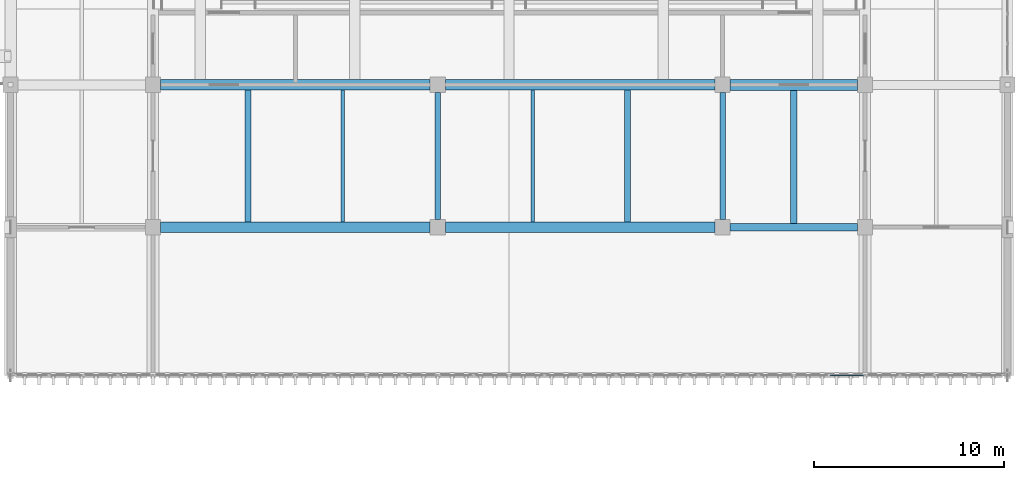
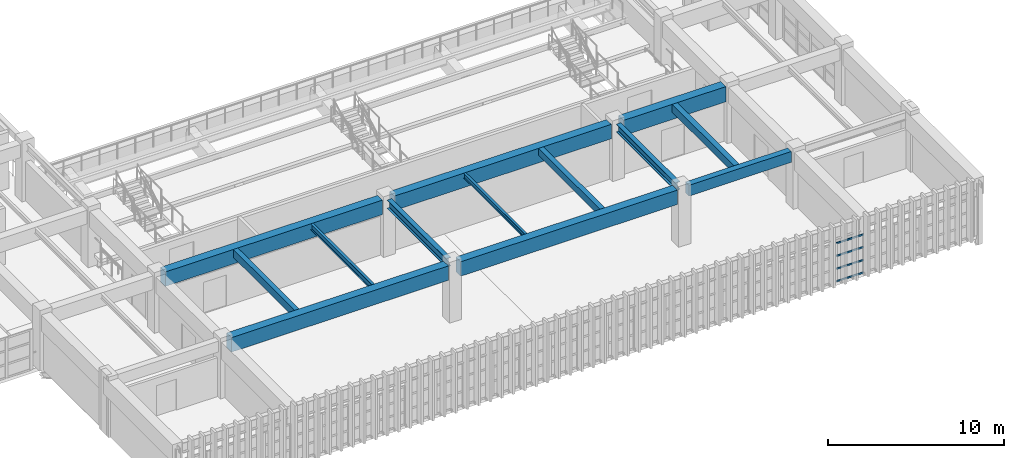
# One storey, part 33 of 124: 13 beams, 4 members, 1 element without a shape of its own.
"""IFC4 building model written with IfcOpenShell, lengths in metres."""

import ifcopenshell
import ifcopenshell.guid

model = None  # the IFC model being written
_history = None  # IfcOwnerHistory: only IFC2X3 demands one
_inside = {}  # id of a spatial element -> (the spatial element, [elements in it])
_under = {}  # id of a project, library or spatial element -> (it, [spatial elements below it])
_declared = {}  # id of a project -> (the project, [libraries it declares])
_typed = {}  # id of a type object -> (the type object, [elements of that type])
_made_of = {}  # id of a material, layer set ... -> (it, [elements and type objects made of it])


def new_model(schema):
    """Start an empty IFC model of exactly this schema.

    Asked for "IFC4X3", IfcOpenShell would pick the latest addendum, in which some entities
    have other attributes; the version numbers below select the first issue.
    IFC2X3 requires an IfcOwnerHistory on every rooted entity: one is made here for all.
    """
    global model, _history
    if schema == "IFC4X3":
        model = ifcopenshell.file(schema_version=(4, 3, 0, 0))
    else:
        model = ifcopenshell.file(schema=schema)
    _inside.clear()
    _under.clear()
    _declared.clear()
    _typed.clear()
    _made_of.clear()
    _history = None
    if model.schema == "IFC2X3":
        org = make("IfcOrganization", Name="unknown")
        user = make(
            "IfcPersonAndOrganization",
            ThePerson=make("IfcPerson", FamilyName="unknown"),
            TheOrganization=org,
        )
        app = make(
            "IfcApplication",
            ApplicationDeveloper=org,
            Version="unknown",
            ApplicationFullName="unknown",
            ApplicationIdentifier="unknown",
        )
        _history = make(
            "IfcOwnerHistory",
            OwningUser=user,
            OwningApplication=app,
            ChangeAction="ADDED",
            CreationDate=0,
        )
    return model


def make(cls, **values):
    """One entity of the class cls with the attributes given. An attribute that is None is left unset."""
    return model.create_entity(
        cls, **{name: value for name, value in values.items() if value is not None}
    )


def rooted(cls, **values):
    """An entity with a GlobalId (a new one), such as an element, a storey or a relation."""
    return make(cls, GlobalId=ifcopenshell.guid.new(), OwnerHistory=_history, **values)


def si_unit(unit_type, name, prefix=None):
    """IfcSIUnit, for example si_unit("LENGTHUNIT", "METRE", prefix="MILLI")."""
    return make("IfcSIUnit", UnitType=unit_type, Prefix=prefix, Name=name)


def assignment(units):
    """IfcUnitAssignment: the units of a project."""
    return None if units is None else make("IfcUnitAssignment", Units=units)


def point(xyz):
    """IfcCartesianPoint."""
    return None if xyz is None else make("IfcCartesianPoint", Coordinates=xyz)


def direction(xyz):
    """IfcDirection."""
    return None if xyz is None else make("IfcDirection", DirectionRatios=xyz)


def frame(location, z_axis=None, x_axis=None):
    """IfcAxis2Placement3D, a coordinate frame: its origin and axes. An axis left out is left unset."""
    return make(
        "IfcAxis2Placement3D",
        Location=point(location),
        Axis=direction(z_axis),
        RefDirection=direction(x_axis),
    )


def frame_2d(location, x_axis=None):
    """IfcAxis2Placement2D, a coordinate frame in the plane: its origin and x axis."""
    return make(
        "IfcAxis2Placement2D", Location=point(location), RefDirection=direction(x_axis)
    )


def origin():
    """The frame at (0, 0, 0) with its axes left unset."""
    return frame((0.0, 0.0, 0.0))


def origin_2d():
    """The frame at (0, 0) in the plane with its x axis left unset."""
    return frame_2d((0.0, 0.0))


def place(relative_to, where):
    """IfcLocalPlacement: puts the frame where relative to a parent placement (None: the world)."""
    return make(
        "IfcLocalPlacement", PlacementRelTo=relative_to, RelativePlacement=where
    )


def context(
    kind, dimensions, precision=None, world=None, true_north=None, identifier=None
):
    """IfcGeometricRepresentationContext, for example the 3D "Model" context."""
    return make(
        "IfcGeometricRepresentationContext",
        ContextIdentifier=identifier,
        ContextType=kind,
        CoordinateSpaceDimension=dimensions,
        Precision=precision,
        WorldCoordinateSystem=world,
        TrueNorth=true_north,
    )


def subcontext(parent, identifier, kind, view, scale=None):
    """IfcGeometricRepresentationSubContext, for example "Body" below "Model"."""
    return make(
        "IfcGeometricRepresentationSubContext",
        ContextIdentifier=identifier,
        ContextType=kind,
        ParentContext=parent,
        TargetScale=scale,
        TargetView=view,
    )


def project(units=None, contexts=None):
    """IfcProject with its units and contexts."""
    return rooted(
        "IfcProject",
        Name="project",
        RepresentationContexts=contexts,
        UnitsInContext=assignment(units),
    )


def spatial(cls, under=None, at=None, **own):
    """A site, building, storey or space (cls), placed at a placement, below another one or the project."""
    s = rooted(cls, ObjectPlacement=at, **own)
    if under is not None:
        _under.setdefault(under.id(), (under, []))[1].append(s)
    return s


def profile(cls, at=None, kind="AREA", **sizes):
    """A parametric profile (cls). Its sizes go by their IFC names, for example OverallWidth=200.0."""
    return make(cls, ProfileType=kind, Position=at, **sizes)


def rectangle(**sizes):
    """IfcRectangleProfileDef."""
    return profile("IfcRectangleProfileDef", **sizes)


def hollow_rectangle(**sizes):
    """IfcRectangleHollowProfileDef."""
    return profile("IfcRectangleHollowProfileDef", **sizes)


def i_section(**sizes):
    """IfcIShapeProfileDef."""
    return profile("IfcIShapeProfileDef", **sizes)


def extrude(swept, where, along, depth):
    """IfcExtrudedAreaSolid: the profile swept, set in the frame where, extruded along a direction by depth."""
    return make(
        "IfcExtrudedAreaSolid",
        SweptArea=swept,
        Position=where,
        ExtrudedDirection=direction(along),
        Depth=depth,
    )


def shape(context_of_items, identifier, shape_type, items):
    """IfcShapeRepresentation: the items that make up one representation, for example the "Body"."""
    return make(
        "IfcShapeRepresentation",
        ContextOfItems=context_of_items,
        RepresentationIdentifier=identifier,
        RepresentationType=shape_type,
        Items=items,
    )


def material(Name=None, Category=None):
    """IfcMaterial."""
    return make("IfcMaterial", Name=Name, Category=Category)


def material_profile(
    of_material, cross_section, Name=None, Category=None, Priority=None
):
    """IfcMaterialProfile: a cross section and its material."""
    return make(
        "IfcMaterialProfile",
        Name=Name,
        Material=of_material,
        Profile=cross_section,
        Priority=Priority,
        Category=Category,
    )


def profile_set(profiles, Name=None, composite=None):
    """IfcMaterialProfileSet."""
    return make(
        "IfcMaterialProfileSet",
        Name=Name,
        MaterialProfiles=profiles,
        CompositeProfile=composite,
    )


def made_of(thing, what):
    """Note that an element or type object is made of a material, layer set ...; save() writes the relation."""
    if what is not None:
        _made_of.setdefault(what.id(), (what, []))[1].append(thing)
    return thing


def type_object(cls, material=None, **own):
    """A type object (cls), such as IfcWallType, which elements share."""
    return made_of(rooted(cls, **own), material)


def element(
    cls,
    number,
    at=None,
    inside=None,
    cuts=None,
    type_object=None,
    material=None,
    context=None,
    identifier="Body",
    shape_type=None,
    held_by="IfcProductDefinitionShape",
    body=None,
    shapes=None,
    **own,
):
    """One element of the class cls, such as IfcWall. Its Tag is "e" and its number.

    at: its placement. inside: the storey or other place that contains it. cuts: it is an
    opening in that element (IfcRelVoidsElement). A single representation is given by context,
    identifier, shape_type and body (its items); several are given by shapes. held_by: the class
    of the entity that holds the representations. save() writes the other relations.
    """
    e = rooted(cls, Tag="e%d" % number, ObjectPlacement=at, **own)
    if body is not None:
        shapes = [shape(context, identifier, shape_type, body)]
    if shapes is not None:
        e.Representation = make(held_by, Representations=shapes)
    if inside is not None:
        _inside.setdefault(inside.id(), (inside, []))[1].append(e)
    if cuts is not None:
        rooted(
            "IfcRelVoidsElement", RelatingBuildingElement=cuts, RelatedOpeningElement=e
        )
    if type_object is not None:
        _typed.setdefault(type_object.id(), (type_object, []))[1].append(e)
    return made_of(e, material)


def aggregate(whole, parts):
    """IfcRelAggregates: a whole, such as a stair, and the parts it consists of."""
    return rooted("IfcRelAggregates", RelatingObject=whole, RelatedObjects=parts)


def save(model, path):
    """Write the relations noted so far, then the file.

    IfcRelAggregates (storeys below a building ...), IfcRelContainedInSpatialStructure (elements
    in a storey), IfcRelDefinesByType, IfcRelAssociatesMaterial and IfcRelDeclares: one each for
    every whole, place, type object, material and project.
    """
    for whole, parts in _under.values():
        aggregate(whole, parts)
    for where, things in _inside.values():
        rooted(
            "IfcRelContainedInSpatialStructure",
            RelatedElements=things,
            RelatingStructure=where,
        )
    for kind, things in _typed.values():
        rooted("IfcRelDefinesByType", RelatedObjects=things, RelatingType=kind)
    for what, things in _made_of.values():
        rooted("IfcRelAssociatesMaterial", RelatedObjects=things, RelatingMaterial=what)
    for by, libraries in _declared.values():
        rooted("IfcRelDeclares", RelatingContext=by, RelatedDefinitions=libraries)
    model.write(path)


model = new_model("IFC4")

# Units and contexts
model_context = context("Model", 3, precision=1e-05, world=origin(), true_north=direction((0.0, 1.0)))
body_context = subcontext(model_context, "Body", "Model", "MODEL_VIEW")
ifc_project = project(units=[si_unit("LENGTHUNIT", "METRE"), si_unit("AREAUNIT", "SQUARE_METRE"), si_unit("VOLUMEUNIT", "CUBIC_METRE"), si_unit("PLANEANGLEUNIT", "RADIAN"), si_unit("MASSUNIT", "GRAM", prefix="KILO")], contexts=[model_context])

# Site, building, storey
site_placement = place(None, origin())
site = spatial("IfcSite", under=ifc_project, at=site_placement, CompositionType="ELEMENT")
building_placement = place(site_placement, origin())
building = spatial("IfcBuilding", under=site, at=building_placement, Name="Qasida Concert Hall", CompositionType="ELEMENT")
storey_placement = place(building_placement, frame((0.0, 0.0, 9.0)))
storey = spatial("IfcBuildingStorey", under=building, at=storey_placement, Name="L02", CompositionType="ELEMENT", Elevation=9.0)

# Beams
ifc_material_1 = material(Name="Steel S355J2", Category="steel")
ifc_material_profile_1 = material_profile(ifc_material_1, i_section(OverallWidth=0.300048828125, OverallDepth=0.550048828125, WebThickness=0.014892578125, FlangeThickness=0.029052734375, FilletRadius=0.027099609375, at=origin_2d()), Name="HEB 550")
ifc_profile_set_1 = profile_set([ifc_material_profile_1], Name="Steel S355J2")
beam_type_1 = type_object("IfcBeamType", Name="BM-B12", PredefinedType="BEAM", material=ifc_profile_set_1)
beam_1_placement = place(storey_placement, frame((90.0, 22.89990234375, 3.625), z_axis=(0.0, 1.0, 0.0), x_axis=(-1.0, 0.0, 0.0)))
element("IfcBeam", 1, at=beam_1_placement, inside=storey, type_object=beam_type_1, Name="L02 girder 1187", PredefinedType="BEAM", context=body_context, shape_type="SweptSolid", body=[
    extrude(i_section(OverallWidth=0.300048828125, OverallDepth=0.550048828125, WebThickness=0.014892578125, FlangeThickness=0.029052734375, FilletRadius=0.027099609375, at=origin_2d()), origin(), (0.0, 0.0, 1.0), 6.7001953125),
])
ifc_material_profile_2 = material_profile(ifc_material_1, i_section(OverallWidth=0.300048828125, OverallDepth=0.60009765625, WebThickness=0.015380859375, FlangeThickness=0.030029296875, FilletRadius=0.027099609375, at=origin_2d()), Name="HEB 600")
ifc_profile_set_2 = profile_set([ifc_material_profile_2], Name="Steel S355J2")
beam_type_2 = type_object("IfcBeamType", Name="BM-B6", PredefinedType="BEAM", material=ifc_profile_set_2)
beam_2_placement = place(storey_placement, frame((75.0, 22.89990234375, 3.60009765625), z_axis=(0.0, 1.0, 0.0), x_axis=(-1.0, 0.0, 0.0)))
element("IfcBeam", 2, at=beam_2_placement, inside=storey, type_object=beam_type_2, Name="L02 girder 1184", PredefinedType="BEAM", context=body_context, shape_type="SweptSolid", body=[
    extrude(i_section(OverallWidth=0.300048828125, OverallDepth=0.60009765625, WebThickness=0.015380859375, FlangeThickness=0.030029296875, FilletRadius=0.027099609375, at=origin_2d()), origin(), (0.0, 0.0, 1.0), 6.7001953125),
])
ifc_material_2 = material(Name="Concrete C40/50", Category="concrete")
ifc_material_profile_3 = material_profile(ifc_material_2, rectangle(XDim=0.550048828125, YDim=1.0, at=origin_2d()), Name="RC 550x1000")
ifc_profile_set_3 = profile_set([ifc_material_profile_3], Name="Concrete C40/50")
beam_type_3 = type_object("IfcBeamType", Name="BM-G3", PredefinedType="USERDEFINED", material=ifc_profile_set_3)
for number, where, z_axis, x_axis, name in (
    (3, (60.39990234375, 22.5, 3.39990234375), (1.0, 0.0, 0.0), (0.0, 1.0, 0.0), "Primary girder 1138"),
    (4, (75.39990234375, 22.5, 3.39990234375), (1.0, 0.0, 0.0), (0.0, 1.0, 0.0), "Primary girder 1139"),
    (5, (60.39990234375, 30.0, 3.39990234375), (1.0, 0.0, 0.0), (0.0, 1.0, 0.0), "Primary girder 1143"),
    (6, (75.39990234375, 30.0, 3.39990234375), (1.0, 0.0, 0.0), (0.0, 1.0, 0.0), "Primary girder 1144"),
):
    element("IfcBeam", number, at=place(storey_placement, frame(where, z_axis=z_axis, x_axis=x_axis)), inside=storey, type_object=beam_type_3, Name=name, ObjectType="GIRDER", PredefinedType="USERDEFINED", context=body_context, shape_type="SweptSolid", body=[
        extrude(rectangle(XDim=0.550048828125, YDim=1.0, at=origin_2d()), origin(), (0.0, 0.0, 1.0), 14.2001953125),
    ])
ifc_material_3 = material(Name="Concrete C50/60", Category="concrete")
ifc_material_profile_4 = material_profile(ifc_material_3, rectangle(XDim=0.580078125, YDim=1.050048828125, at=origin_2d()), Name="RC 580x1050")
ifc_profile_set_4 = profile_set([ifc_material_profile_4], Name="Concrete C50/60")
beam_type_4 = type_object("IfcBeamType", Name="BM-G8", PredefinedType="USERDEFINED", material=ifc_profile_set_4)
beam_3_placement = place(storey_placement, frame((90.39990234375, 30.0, 3.375), z_axis=(1.0, 0.0, 0.0), x_axis=(0.0, 1.0, 0.0)))
element("IfcBeam", 7, at=beam_3_placement, inside=storey, type_object=beam_type_4, Name="Primary girder 1145", ObjectType="GIRDER", PredefinedType="USERDEFINED", context=body_context, shape_type="SweptSolid", body=[
    extrude(rectangle(XDim=0.580078125, YDim=1.050048828125, at=origin_2d()), origin(), (0.0, 0.0, 1.0), 6.7001953125),
])
ifc_material_profile_5 = material_profile(ifc_material_2, rectangle(XDim=0.300048828125, YDim=0.550048828125, at=origin_2d()), Name="RC 300x550")
ifc_profile_set_5 = profile_set([ifc_material_profile_5], Name="Concrete C40/50")
beam_type_5 = type_object("IfcBeamType", Name="BM-J1", PredefinedType="JOIST", material=ifc_profile_set_5)
beam_4_placement = place(storey_placement, frame((65.0, 22.77490234375, 3.625), z_axis=(0.0, 1.0, 0.0), x_axis=(-1.0, 0.0, 0.0)))
element("IfcBeam", 8, at=beam_4_placement, inside=storey, type_object=beam_type_5, Name="L02 secondary joist 1208", PredefinedType="JOIST", context=body_context, shape_type="SweptSolid", body=[
    extrude(rectangle(XDim=0.300048828125, YDim=0.550048828125, at=origin_2d()), origin(), (0.0, 0.0, 1.0), 6.9501953125),
])
ifc_material_profile_6 = material_profile(ifc_material_1, i_section(OverallWidth=0.179931640625, OverallDepth=0.39990234375, WebThickness=0.008544921875, FlangeThickness=0.013427734375, FilletRadius=0.02099609375, at=origin_2d()), Name="IPE 400")
ifc_profile_set_6 = profile_set([ifc_material_profile_6], Name="Steel S355J2")
beam_type_6 = type_object("IfcBeamType", Name="BM-J3", PredefinedType="JOIST", material=ifc_profile_set_6)
beam_5_placement = place(storey_placement, frame((70.0, 22.77490234375, 3.699951171875), z_axis=(0.0, 1.0, 0.0), x_axis=(-1.0, 0.0, 0.0)))
element("IfcBeam", 9, at=beam_5_placement, inside=storey, type_object=beam_type_6, Name="L02 secondary joist 1209", PredefinedType="JOIST", context=body_context, shape_type="SweptSolid", body=[
    extrude(i_section(OverallWidth=0.179931640625, OverallDepth=0.39990234375, WebThickness=0.008544921875, FlangeThickness=0.013427734375, FilletRadius=0.02099609375, at=origin_2d()), origin(), (0.0, 0.0, 1.0), 6.9501953125),
])
ifc_material_profile_7 = material_profile(ifc_material_1, i_section(OverallWidth=0.159912109375, OverallDepth=0.330078125, WebThickness=0.007568359375, FlangeThickness=0.011474609375, FilletRadius=0.01806640625, at=origin_2d()), Name="IPE 330")
ifc_profile_set_7 = profile_set([ifc_material_profile_7], Name="Steel S355J2")
beam_type_7 = type_object("IfcBeamType", Name="BM-J5", PredefinedType="JOIST", material=ifc_profile_set_7)
beam_6_placement = place(storey_placement, frame((80.0, 22.77490234375, 3.735107421875), z_axis=(0.0, 1.0, 0.0), x_axis=(-1.0, 0.0, 0.0)))
element("IfcBeam", 10, at=beam_6_placement, inside=storey, type_object=beam_type_7, Name="L02 secondary joist 1212", PredefinedType="JOIST", context=body_context, shape_type="SweptSolid", body=[
    extrude(i_section(OverallWidth=0.159912109375, OverallDepth=0.330078125, WebThickness=0.007568359375, FlangeThickness=0.011474609375, FilletRadius=0.01806640625, at=origin_2d()), origin(), (0.0, 0.0, 1.0), 6.9501953125),
])
ifc_material_profile_8 = material_profile(ifc_material_2, rectangle(XDim=0.320068359375, YDim=0.5, at=origin_2d()), Name="RC 320x500")
ifc_profile_set_8 = profile_set([ifc_material_profile_8], Name="Concrete C40/50")
beam_type_8 = type_object("IfcBeamType", Name="BM-J7", PredefinedType="JOIST", material=ifc_profile_set_8)
beam_7_placement = place(storey_placement, frame((85.0, 22.77490234375, 3.64990234375), z_axis=(0.0, 1.0, 0.0), x_axis=(-1.0, 0.0, 0.0)))
element("IfcBeam", 11, at=beam_7_placement, inside=storey, type_object=beam_type_8, Name="L02 secondary joist 1213", PredefinedType="JOIST", context=body_context, shape_type="SweptSolid", body=[
    extrude(rectangle(XDim=0.320068359375, YDim=0.5, at=origin_2d()), origin(), (0.0, 0.0, 1.0), 6.9501953125),
])
ifc_material_profile_9 = material_profile(ifc_material_2, rectangle(XDim=0.35009765625, YDim=0.550048828125, at=origin_2d()), Name="RC 350x550")
ifc_profile_set_9 = profile_set([ifc_material_profile_9], Name="Concrete C40/50")
beam_type_9 = type_object("IfcBeamType", Name="BM-J8", PredefinedType="JOIST", material=ifc_profile_set_9)
beam_8_placement = place(storey_placement, frame((93.75, 22.699951171875, 3.625), z_axis=(0.0, 1.0, 0.0), x_axis=(-1.0, 0.0, 0.0)))
element("IfcBeam", 12, at=beam_8_placement, inside=storey, type_object=beam_type_9, Name="L02 secondary joist 1215", PredefinedType="JOIST", context=body_context, shape_type="SweptSolid", body=[
    extrude(rectangle(XDim=0.35009765625, YDim=0.550048828125, at=origin_2d()), origin(), (0.0, 0.0, 1.0), 7.010009765625),
])
ifc_material_profile_10 = material_profile(ifc_material_2, rectangle(XDim=0.39990234375, YDim=0.75, at=origin_2d()), Name="RC 400x750")
ifc_profile_set_10 = profile_set([ifc_material_profile_10], Name="Concrete C40/50")
beam_type_10 = type_object("IfcBeamType", Name="BM-SP1", PredefinedType="SPANDREL", material=ifc_profile_set_10)
beam_9_placement = place(storey_placement, frame((90.39990234375, 22.5, 3.52490234375), z_axis=(1.0, 0.0, 0.0), x_axis=(0.0, 1.0, 0.0)))
element("IfcBeam", 13, at=beam_9_placement, inside=storey, type_object=beam_type_10, Name="Primary girder 1140", PredefinedType="SPANDREL", context=body_context, shape_type="SweptSolid", body=[
    extrude(rectangle(XDim=0.39990234375, YDim=0.75, at=origin_2d()), origin(), (0.0, 0.0, 1.0), 6.7001953125),
])

# Curtain wall, members
ifc_material_4 = material(Name="Architectural bronze-anodized aluminium and low-E glass", Category="aluminium")
curtain_wall_type = type_object("IfcCurtainWallType", Name="CW-03", PredefinedType="NOTDEFINED", material=ifc_material_4)
curtain_wall_placement = place(storey_placement, origin())
curtain_wall = element("IfcCurtainWall", 14, at=curtain_wall_placement, inside=storey, type_object=curtain_wall_type, Name="L02 curtain wall CW-03 0013", PredefinedType="NOTDEFINED")
ifc_material_5 = material(Name="Architectural bronze-anodized aluminium EN AW-6063", Category="aluminium")
ifc_material_profile_11 = material_profile(ifc_material_5, hollow_rectangle(XDim=0.06005859375, YDim=0.1201171875, WallThickness=0.00390625, InnerFilletRadius=0.00390625, OuterFilletRadius=0.008056640625, at=origin_2d()), Name="CWT 120x60x4")
ifc_profile_set_11 = profile_set([ifc_material_profile_11], Name="Architectural bronze-anodized aluminium EN AW-6063")
member_type = type_object("IfcMemberType", Name="MB-CWT-2", PredefinedType="USERDEFINED", material=ifc_profile_set_11)
member_1_placement = place(storey_placement, frame((95.6474609375, 14.699951171875, 0.030029296875), z_axis=(1.0, 0.0, 0.0), x_axis=(0.0, 1.0, 0.0)))
member_1 = element("IfcMember", 15, at=member_1_placement, type_object=member_type, Name="CW-03 transom 4.1", ObjectType="TRANSOM", PredefinedType="USERDEFINED", context=body_context, shape_type="SweptSolid", body=[
    extrude(hollow_rectangle(XDim=0.06005859375, YDim=0.1201171875, WallThickness=0.00390625, InnerFilletRadius=0.00390625, OuterFilletRadius=0.008056640625, at=origin_2d()), origin(), (0.0, 0.0, 1.0), 1.767578125),
])
member_2_placement = place(storey_placement, frame((95.6474609375, 14.699951171875, 0.896728515625), z_axis=(1.0, 0.0, 0.0), x_axis=(0.0, 1.0, 0.0)))
member_2 = element("IfcMember", 16, at=member_2_placement, type_object=member_type, Name="CW-03 transom 4.2", ObjectType="TRANSOM", PredefinedType="USERDEFINED", context=body_context, shape_type="SweptSolid", body=[
    extrude(hollow_rectangle(XDim=0.06005859375, YDim=0.1201171875, WallThickness=0.00390625, InnerFilletRadius=0.00390625, OuterFilletRadius=0.008056640625, at=origin_2d()), origin(), (0.0, 0.0, 1.0), 1.767578125),
])
member_3_placement = place(storey_placement, frame((95.6474609375, 14.699951171875, 1.793212890625), z_axis=(1.0, 0.0, 0.0), x_axis=(0.0, 1.0, 0.0)))
member_3 = element("IfcMember", 17, at=member_3_placement, type_object=member_type, Name="CW-03 transom 4.3", ObjectType="TRANSOM", PredefinedType="USERDEFINED", context=body_context, shape_type="SweptSolid", body=[
    extrude(hollow_rectangle(XDim=0.06005859375, YDim=0.1201171875, WallThickness=0.00390625, InnerFilletRadius=0.00390625, OuterFilletRadius=0.008056640625, at=origin_2d()), origin(), (0.0, 0.0, 1.0), 1.767578125),
])
member_4_placement = place(storey_placement, frame((95.6474609375, 14.699951171875, 2.659912109375), z_axis=(1.0, 0.0, 0.0), x_axis=(0.0, 1.0, 0.0)))
member_4 = element("IfcMember", 18, at=member_4_placement, type_object=member_type, Name="CW-03 transom 4.4", ObjectType="TRANSOM", PredefinedType="USERDEFINED", context=body_context, shape_type="SweptSolid", body=[
    extrude(hollow_rectangle(XDim=0.06005859375, YDim=0.1201171875, WallThickness=0.00390625, InnerFilletRadius=0.00390625, OuterFilletRadius=0.008056640625, at=origin_2d()), origin(), (0.0, 0.0, 1.0), 1.767578125),
])
aggregate(curtain_wall, [member_1, member_2, member_3, member_4])

save(model, "model.ifc")
